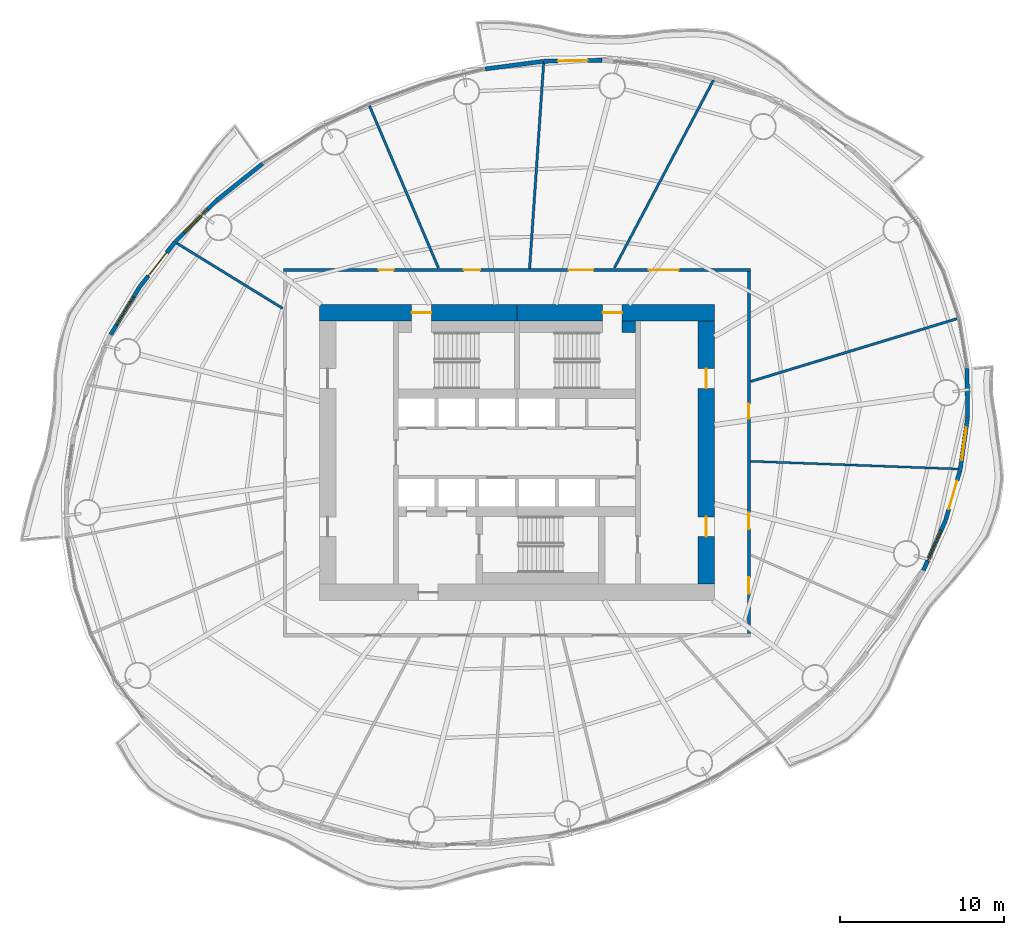
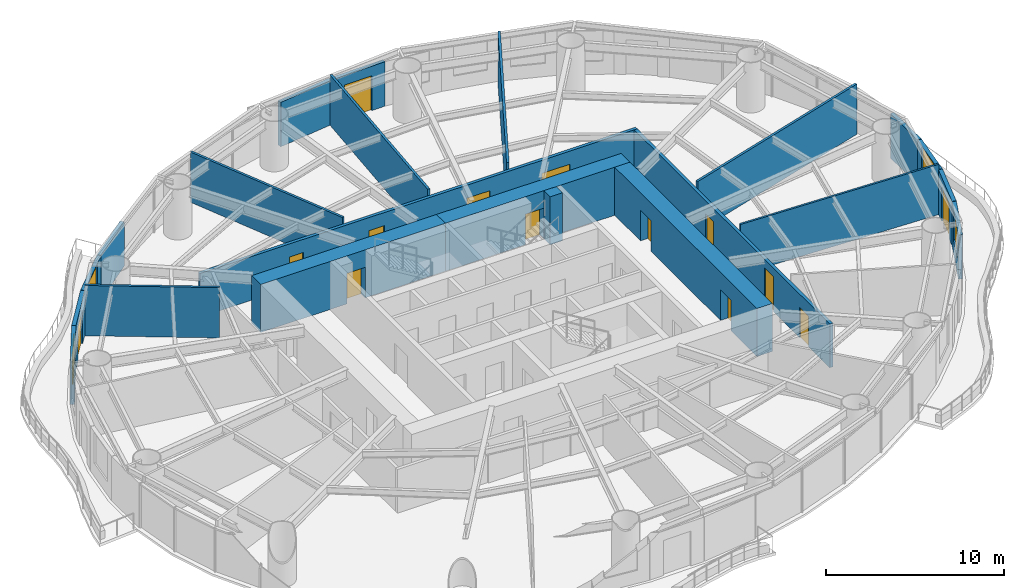
# One storey, part 10 of 14: 22 walls, 14 doors, 4 windows, 18 openings.
"""IFC4 building model written with IfcOpenShell, lengths in metres."""

import ifcopenshell
import ifcopenshell.guid

model = None  # the IFC model being written
_history = None  # IfcOwnerHistory: only IFC2X3 demands one
_inside = {}  # id of a spatial element -> (the spatial element, [elements in it])
_under = {}  # id of a project, library or spatial element -> (it, [spatial elements below it])
_declared = {}  # id of a project -> (the project, [libraries it declares])
_typed = {}  # id of a type object -> (the type object, [elements of that type])
_made_of = {}  # id of a material, layer set ... -> (it, [elements and type objects made of it])


def new_model(schema):
    """Start an empty IFC model of exactly this schema.

    Asked for "IFC4X3", IfcOpenShell would pick the latest addendum, in which some entities
    have other attributes; the version numbers below select the first issue.
    IFC2X3 requires an IfcOwnerHistory on every rooted entity: one is made here for all.
    """
    global model, _history
    if schema == "IFC4X3":
        model = ifcopenshell.file(schema_version=(4, 3, 0, 0))
    else:
        model = ifcopenshell.file(schema=schema)
    _inside.clear()
    _under.clear()
    _declared.clear()
    _typed.clear()
    _made_of.clear()
    _history = None
    if model.schema == "IFC2X3":
        org = make("IfcOrganization", Name="unknown")
        user = make(
            "IfcPersonAndOrganization",
            ThePerson=make("IfcPerson", FamilyName="unknown"),
            TheOrganization=org,
        )
        app = make(
            "IfcApplication",
            ApplicationDeveloper=org,
            Version="unknown",
            ApplicationFullName="unknown",
            ApplicationIdentifier="unknown",
        )
        _history = make(
            "IfcOwnerHistory",
            OwningUser=user,
            OwningApplication=app,
            ChangeAction="ADDED",
            CreationDate=0,
        )
    return model


def make(cls, **values):
    """One entity of the class cls with the attributes given. An attribute that is None is left unset."""
    return model.create_entity(
        cls, **{name: value for name, value in values.items() if value is not None}
    )


def rooted(cls, **values):
    """An entity with a GlobalId (a new one), such as an element, a storey or a relation."""
    return make(cls, GlobalId=ifcopenshell.guid.new(), OwnerHistory=_history, **values)


def si_unit(unit_type, name, prefix=None):
    """IfcSIUnit, for example si_unit("LENGTHUNIT", "METRE", prefix="MILLI")."""
    return make("IfcSIUnit", UnitType=unit_type, Prefix=prefix, Name=name)


def assignment(units):
    """IfcUnitAssignment: the units of a project."""
    return None if units is None else make("IfcUnitAssignment", Units=units)


def point(xyz):
    """IfcCartesianPoint."""
    return None if xyz is None else make("IfcCartesianPoint", Coordinates=xyz)


def direction(xyz):
    """IfcDirection."""
    return None if xyz is None else make("IfcDirection", DirectionRatios=xyz)


def frame(location, z_axis=None, x_axis=None):
    """IfcAxis2Placement3D, a coordinate frame: its origin and axes. An axis left out is left unset."""
    return make(
        "IfcAxis2Placement3D",
        Location=point(location),
        Axis=direction(z_axis),
        RefDirection=direction(x_axis),
    )


def frame_2d(location, x_axis=None):
    """IfcAxis2Placement2D, a coordinate frame in the plane: its origin and x axis."""
    return make(
        "IfcAxis2Placement2D", Location=point(location), RefDirection=direction(x_axis)
    )


def origin():
    """The frame at (0, 0, 0) with its axes left unset."""
    return frame((0.0, 0.0, 0.0))


def place(relative_to, where):
    """IfcLocalPlacement: puts the frame where relative to a parent placement (None: the world)."""
    return make(
        "IfcLocalPlacement", PlacementRelTo=relative_to, RelativePlacement=where
    )


def context(
    kind, dimensions, precision=None, world=None, true_north=None, identifier=None
):
    """IfcGeometricRepresentationContext, for example the 3D "Model" context."""
    return make(
        "IfcGeometricRepresentationContext",
        ContextIdentifier=identifier,
        ContextType=kind,
        CoordinateSpaceDimension=dimensions,
        Precision=precision,
        WorldCoordinateSystem=world,
        TrueNorth=true_north,
    )


def subcontext(parent, identifier, kind, view, scale=None):
    """IfcGeometricRepresentationSubContext, for example "Body" below "Model"."""
    return make(
        "IfcGeometricRepresentationSubContext",
        ContextIdentifier=identifier,
        ContextType=kind,
        ParentContext=parent,
        TargetScale=scale,
        TargetView=view,
    )


def project(units=None, contexts=None):
    """IfcProject with its units and contexts."""
    return rooted(
        "IfcProject",
        Name="project",
        RepresentationContexts=contexts,
        UnitsInContext=assignment(units),
    )


def spatial(cls, under=None, at=None, **own):
    """A site, building, storey or space (cls), placed at a placement, below another one or the project."""
    s = rooted(cls, ObjectPlacement=at, **own)
    if under is not None:
        _under.setdefault(under.id(), (under, []))[1].append(s)
    return s


def profile(cls, at=None, kind="AREA", **sizes):
    """A parametric profile (cls). Its sizes go by their IFC names, for example OverallWidth=200.0."""
    return make(cls, ProfileType=kind, Position=at, **sizes)


def rectangle(**sizes):
    """IfcRectangleProfileDef."""
    return profile("IfcRectangleProfileDef", **sizes)


def extrude(swept, where, along, depth):
    """IfcExtrudedAreaSolid: the profile swept, set in the frame where, extruded along a direction by depth."""
    return make(
        "IfcExtrudedAreaSolid",
        SweptArea=swept,
        Position=where,
        ExtrudedDirection=direction(along),
        Depth=depth,
    )


def shape(context_of_items, identifier, shape_type, items):
    """IfcShapeRepresentation: the items that make up one representation, for example the "Body"."""
    return make(
        "IfcShapeRepresentation",
        ContextOfItems=context_of_items,
        RepresentationIdentifier=identifier,
        RepresentationType=shape_type,
        Items=items,
    )


def material(Name=None, Category=None):
    """IfcMaterial."""
    return make("IfcMaterial", Name=Name, Category=Category)


def layer(
    of_material, thickness, ventilated=None, Name=None, Category=None, Priority=None
):
    """IfcMaterialLayer: one layer of a wall or slab, of a material (None: an air gap)."""
    return make(
        "IfcMaterialLayer",
        Material=of_material,
        LayerThickness=thickness,
        IsVentilated=ventilated,
        Name=Name,
        Category=Category,
        Priority=Priority,
    )


def layer_set(layers, Name=None):
    """IfcMaterialLayerSet."""
    return make("IfcMaterialLayerSet", MaterialLayers=layers, LayerSetName=Name)


def made_of(thing, what):
    """Note that an element or type object is made of a material, layer set ...; save() writes the relation."""
    if what is not None:
        _made_of.setdefault(what.id(), (what, []))[1].append(thing)
    return thing


def type_object(cls, material=None, **own):
    """A type object (cls), such as IfcWallType, which elements share."""
    return made_of(rooted(cls, **own), material)


def element(
    cls,
    number,
    at=None,
    inside=None,
    cuts=None,
    type_object=None,
    material=None,
    context=None,
    identifier="Body",
    shape_type=None,
    held_by="IfcProductDefinitionShape",
    body=None,
    shapes=None,
    **own,
):
    """One element of the class cls, such as IfcWall. Its Tag is "e" and its number.

    at: its placement. inside: the storey or other place that contains it. cuts: it is an
    opening in that element (IfcRelVoidsElement). A single representation is given by context,
    identifier, shape_type and body (its items); several are given by shapes. held_by: the class
    of the entity that holds the representations. save() writes the other relations.
    """
    e = rooted(cls, Tag="e%d" % number, ObjectPlacement=at, **own)
    if body is not None:
        shapes = [shape(context, identifier, shape_type, body)]
    if shapes is not None:
        e.Representation = make(held_by, Representations=shapes)
    if inside is not None:
        _inside.setdefault(inside.id(), (inside, []))[1].append(e)
    if cuts is not None:
        rooted(
            "IfcRelVoidsElement", RelatingBuildingElement=cuts, RelatedOpeningElement=e
        )
    if type_object is not None:
        _typed.setdefault(type_object.id(), (type_object, []))[1].append(e)
    return made_of(e, material)


def fill(opening, filler):
    """IfcRelFillsElement: the door or window that sits in an opening."""
    return rooted(
        "IfcRelFillsElement",
        RelatingOpeningElement=opening,
        RelatedBuildingElement=filler,
    )


def aggregate(whole, parts):
    """IfcRelAggregates: a whole, such as a stair, and the parts it consists of."""
    return rooted("IfcRelAggregates", RelatingObject=whole, RelatedObjects=parts)


def save(model, path):
    """Write the relations noted so far, then the file.

    IfcRelAggregates (storeys below a building ...), IfcRelContainedInSpatialStructure (elements
    in a storey), IfcRelDefinesByType, IfcRelAssociatesMaterial and IfcRelDeclares: one each for
    every whole, place, type object, material and project.
    """
    for whole, parts in _under.values():
        aggregate(whole, parts)
    for where, things in _inside.values():
        rooted(
            "IfcRelContainedInSpatialStructure",
            RelatedElements=things,
            RelatingStructure=where,
        )
    for kind, things in _typed.values():
        rooted("IfcRelDefinesByType", RelatedObjects=things, RelatingType=kind)
    for what, things in _made_of.values():
        rooted("IfcRelAssociatesMaterial", RelatedObjects=things, RelatingMaterial=what)
    for by, libraries in _declared.values():
        rooted("IfcRelDeclares", RelatingContext=by, RelatedDefinitions=libraries)
    model.write(path)


model = new_model("IFC4")

# Units and contexts
model_context = context("Model", 3, precision=1e-05, world=origin(), true_north=direction((0.0, 1.0)))
body_context = subcontext(model_context, "Body", "Model", "MODEL_VIEW")
ifc_project = project(units=[si_unit("LENGTHUNIT", "METRE"), si_unit("AREAUNIT", "SQUARE_METRE"), si_unit("VOLUMEUNIT", "CUBIC_METRE"), si_unit("PLANEANGLEUNIT", "RADIAN"), si_unit("MASSUNIT", "GRAM", prefix="KILO")], contexts=[model_context])

# Site, building, storey
site_placement = place(None, origin())
site = spatial("IfcSite", under=ifc_project, at=site_placement, CompositionType="ELEMENT")
building_placement = place(site_placement, origin())
building = spatial("IfcBuilding", under=site, at=building_placement, Name="Vermilion Reach Broadcast Tower", CompositionType="ELEMENT")
storey_placement = place(building_placement, frame((0.0, 0.0, 124.60009765625)))
storey = spatial("IfcBuildingStorey", under=building, at=storey_placement, Name="L29", CompositionType="ELEMENT", Elevation=124.60009765625)

# Wall, opening, door
ifc_material_1 = material(Name="Concrete C70", Category="concrete")
ifc_layer_1 = layer(ifc_material_1, 1.0)
ifc_layer_set_1 = layer_set([ifc_layer_1], Name="Core outer wall 1000 mm Concrete C70")
wall_type_1 = type_object("IfcWallType", Name="Core outer wall 1000 mm Concrete C70", PredefinedType="SHEAR", material=ifc_layer_set_1)
wall_1_placement = place(storey_placement, frame((6.0, 8.5, 0.0), z_axis=(0.0, 0.0, 1.0), x_axis=(-1.0, 0.0, 0.0)))
wall_1 = element("IfcWall", 1, at=wall_1_placement, inside=storey, type_object=wall_type_1, Name="L29 core wall onE", PredefinedType="SHEAR", context=body_context, shape_type="SweptSolid", body=[
    extrude(rectangle(XDim=12.0, YDim=1.0, at=frame_2d((6.0, 0.0))), origin(), (0.0, 0.0, 1.0), 3.2998046875),
])
opening_1_placement = place(wall_1_placement, frame((5.60009765625, 0.0, 0.0)))
opening_1 = element("IfcOpeningElement", 2, at=opening_1_placement, cuts=wall_1, Name="Opening D01", PredefinedType="OPENING", context=body_context, shape_type="SweptSolid", body=[
    extrude(rectangle(XDim=1.199951171875, YDim=2.10009765625, at=frame_2d((0.60009765625, 1.050048828125))), frame((0.0, 0.510009765625, 0.0), z_axis=(0.0, -1.0, 0.0), x_axis=(1.0, 0.0, 0.0)), (0.0, 0.0, 1.0), 1.02001953125),
])
ifc_material_2 = material(Name="Painted steel fire door", Category="steel")
door_type_1 = type_object("IfcDoorType", Name="Stair door 1200 x 2100", OperationType="DOUBLE_DOOR_SINGLE_SWING", PredefinedType="NOTDEFINED", material=ifc_material_2)
door_1_placement = place(opening_1_placement, origin())
door_1 = element("IfcDoor", 3, at=door_1_placement, inside=storey, type_object=door_type_1, Name="L29 stair door ST2", OperationType="DOUBLE_DOOR_SINGLE_SWING", OverallHeight=2.10009765625, OverallWidth=1.199951171875, PredefinedType="NOTDEFINED", context=body_context, shape_type="SweptSolid", body=[
    extrude(rectangle(XDim=1.199951171875, YDim=2.10009765625, at=frame_2d((0.60009765625, 1.050048828125))), frame((0.0, 0.02490234375, 0.0), z_axis=(0.0, -1.0, 0.0), x_axis=(1.0, 0.0, 0.0)), (0.0, 0.0, 1.0), 0.050048828125),
])
fill(opening_1, door_1)

wall_2_placement = place(storey_placement, frame((-6.0, 8.5, 0.0), z_axis=(0.0, 0.0, 1.0), x_axis=(-1.0, 0.0, 0.0)))
wall_2 = element("IfcWall", 4, at=wall_2_placement, inside=storey, type_object=wall_type_1, Name="L29 core wall onW", PredefinedType="SHEAR", context=body_context, shape_type="SweptSolid", body=[
    extrude(rectangle(XDim=12.0, YDim=1.0, at=frame_2d((6.0, 0.0))), origin(), (0.0, 0.0, 1.0), 3.2998046875),
])
opening_2_placement = place(wall_2_placement, frame((5.199951171875, 0.0, 0.0)))
opening_2 = element("IfcOpeningElement", 5, at=opening_2_placement, cuts=wall_2, Name="Opening D01", PredefinedType="OPENING", context=body_context, shape_type="SweptSolid", body=[
    extrude(rectangle(XDim=1.199951171875, YDim=2.10009765625, at=frame_2d((0.60009765625, 1.050048828125))), frame((0.0, 0.510009765625, 0.0), z_axis=(0.0, -1.0, 0.0), x_axis=(1.0, 0.0, 0.0)), (0.0, 0.0, 1.0), 1.02001953125),
])
door_2_placement = place(opening_2_placement, origin())
door_2 = element("IfcDoor", 6, at=door_2_placement, inside=storey, type_object=door_type_1, Name="L29 stair door ST1", OperationType="DOUBLE_DOOR_SINGLE_SWING", OverallHeight=2.10009765625, OverallWidth=1.199951171875, PredefinedType="NOTDEFINED", context=body_context, shape_type="SweptSolid", body=[
    extrude(rectangle(XDim=1.199951171875, YDim=2.10009765625, at=frame_2d((0.60009765625, 1.050048828125))), frame((0.0, 0.02490234375, 0.0), z_axis=(0.0, -1.0, 0.0), x_axis=(1.0, 0.0, 0.0)), (0.0, 0.0, 1.0), 0.050048828125),
])
fill(opening_2, door_2)

# Wall, openings, doors
wall_3_placement = place(storey_placement, frame((5.5, -8.0, 0.0), z_axis=(0.0, 0.0, 1.0), x_axis=(0.0, 1.0, 0.0)))
wall_3 = element("IfcWall", 7, at=wall_3_placement, inside=storey, type_object=wall_type_1, Name="L29 core wall oe", PredefinedType="SHEAR", context=body_context, shape_type="SweptSolid", body=[
    extrude(rectangle(XDim=16.0, YDim=1.0, at=frame_2d((8.0, 0.0))), origin(), (0.0, 0.0, 1.0), 3.2998046875),
])
opening_3_placement = place(wall_3_placement, frame((2.89990234375, 0.0, 0.0)))
opening_3 = element("IfcOpeningElement", 8, at=opening_3_placement, cuts=wall_3, Name="Opening D03", PredefinedType="OPENING", context=body_context, shape_type="SweptSolid", body=[
    extrude(rectangle(XDim=1.199951171875, YDim=2.10009765625, at=frame_2d((0.60009765625, 1.050048828125))), frame((0.0, 0.510009765625, 0.0), z_axis=(0.0, -1.0, 0.0), x_axis=(1.0, 0.0, 0.0)), (0.0, 0.0, 1.0), 1.02001953125),
])
opening_4_placement = place(wall_3_placement, frame((11.89990234375, 0.0, 0.0)))
opening_4 = element("IfcOpeningElement", 9, at=opening_4_placement, cuts=wall_3, Name="Opening D03", PredefinedType="OPENING", context=body_context, shape_type="SweptSolid", body=[
    extrude(rectangle(XDim=1.199951171875, YDim=2.10009765625, at=frame_2d((0.60009765625, 1.050048828125))), frame((0.0, 0.510009765625, 0.0), z_axis=(0.0, -1.0, 0.0), x_axis=(1.0, 0.0, 0.0)), (0.0, 0.0, 1.0), 1.02001953125),
])
ifc_material_3 = material(Name="Painted steel fire door", Category="steel")
door_type_2 = type_object("IfcDoorType", Name="Core lobby door 1200 x 2100", OperationType="DOUBLE_DOOR_SINGLE_SWING", PredefinedType="NOTDEFINED", material=ifc_material_3)
door_3_placement = place(opening_3_placement, origin())
door_3 = element("IfcDoor", 10, at=door_3_placement, inside=storey, type_object=door_type_2, Name="L29 slot door E0", OperationType="DOUBLE_DOOR_SINGLE_SWING", OverallHeight=2.10009765625, OverallWidth=1.199951171875, PredefinedType="NOTDEFINED", context=body_context, shape_type="SweptSolid", body=[
    extrude(rectangle(XDim=1.199951171875, YDim=2.10009765625, at=frame_2d((0.60009765625, 1.050048828125))), frame((0.0, 0.02490234375, 0.0), z_axis=(0.0, -1.0, 0.0), x_axis=(1.0, 0.0, 0.0)), (0.0, 0.0, 1.0), 0.050048828125),
])
fill(opening_3, door_3)
door_4_placement = place(opening_4_placement, origin())
door_4 = element("IfcDoor", 11, at=door_4_placement, inside=storey, type_object=door_type_2, Name="L29 slot door E1", OperationType="DOUBLE_DOOR_SINGLE_SWING", OverallHeight=2.10009765625, OverallWidth=1.199951171875, PredefinedType="NOTDEFINED", context=body_context, shape_type="SweptSolid", body=[
    extrude(rectangle(XDim=1.199951171875, YDim=2.10009765625, at=frame_2d((0.60009765625, 1.050048828125))), frame((0.0, 0.02490234375, 0.0), z_axis=(0.0, -1.0, 0.0), x_axis=(1.0, 0.0, 0.0)), (0.0, 0.0, 1.0), 0.050048828125),
])
fill(opening_4, door_4)

# Walls
ifc_material_4 = material(Name="Concrete C70", Category="concrete")
ifc_layer_2 = layer(ifc_material_4, 0.699951171875)
ifc_layer_set_2 = layer_set([ifc_layer_2], Name="Core stair wall 700 mm Concrete C70")
wall_type_2 = type_object("IfcWallType", Name="Core stair wall 700 mm Concrete C70", PredefinedType="SHEAR", material=ifc_layer_set_2)
wall_4_placement = place(storey_placement, frame((0.39990234375, 7.64990234375, 0.0), z_axis=(0.0, 0.0, 1.0), x_axis=(1.0, 0.0, 0.0)))
element("IfcWall", 12, at=wall_4_placement, inside=storey, type_object=wall_type_2, Name="L29 core wall l2b", PredefinedType="SHEAR", context=body_context, shape_type="SweptSolid", body=[
    extrude(rectangle(XDim=0.800048828125, YDim=0.699951171875, at=frame_2d((0.39990234375, 0.0))), origin(), (0.0, 0.0, 1.0), 3.2998046875),
])
ifc_material_5 = material(Name="Fire-rated plasterboard on steel stud", Category="steel")
ifc_layer_3 = layer(ifc_material_5, 0.125)
ifc_layer_set_3 = layer_set([ifc_layer_3], Name="Partition 125 fire-rated stud")
wall_type_3 = type_object("IfcWallType", Name="Partition 125 fire-rated stud", PredefinedType="PARTITIONING", material=ifc_layer_set_3)
wall_5_placement = place(storey_placement, frame((20.830322265625, -0.9951171875, 0.0), z_axis=(0.0, 0.0, 1.0), x_axis=(-0.999313191899, 0.037055964389, 0.0)))
element("IfcWall", 13, at=wall_5_placement, inside=storey, type_object=wall_type_3, Name="Partition 29.13", PredefinedType="PARTITIONING", context=body_context, shape_type="SweptSolid", body=[
    extrude(rectangle(XDim=12.63671875, YDim=0.125, at=frame_2d((6.318359375, 0.0))), origin(), (0.0, 0.0, 1.0), 3.449951171875),
])
ifc_material_6 = material(Name="Lightweight concrete block, plastered", Category="concrete")
ifc_layer_4 = layer(ifc_material_6, 0.14990234375)
ifc_layer_set_4 = layer_set([ifc_layer_4], Name="Partition 150 lightweight block")
wall_type_4 = type_object("IfcWallType", Name="Partition 150 lightweight block", PredefinedType="PARTITIONING", material=ifc_layer_set_4)
wall_6_placement = place(storey_placement, frame((5.9462890625, 22.644287109375, 0.0), z_axis=(0.0, 0.0, 1.0), x_axis=(-0.466623744036, -0.884455924002, 0.0)))
element("IfcWall", 14, at=wall_6_placement, inside=storey, type_object=wall_type_4, Name="Partition 29.01", PredefinedType="PARTITIONING", context=body_context, shape_type="SweptSolid", body=[
    extrude(rectangle(XDim=12.899658203125, YDim=0.14990234375, at=frame_2d((6.44970703125, 0.0))), origin(), (0.0, 0.0, 1.0), 3.449951171875),
])
wall_7_placement = place(storey_placement, frame((-4.37841796875, 23.667236328125, 0.0), z_axis=(0.0, 0.0, 1.0), x_axis=(-0.068347975622, -0.997661542923, 0.0)))
element("IfcWall", 15, at=wall_7_placement, inside=storey, type_object=wall_type_4, Name="Partition 29.02", PredefinedType="PARTITIONING", context=body_context, shape_type="SweptSolid", body=[
    extrude(rectangle(XDim=12.491455078125, YDim=0.14990234375, at=frame_2d((6.24560546875, 0.0))), origin(), (0.0, 0.0, 1.0), 3.449951171875),
])
wall_8_placement = place(storey_placement, frame((-14.96142578125, 21.07080078125, 0.0), z_axis=(0.0, 0.0, 1.0), x_axis=(0.391369274345, -0.920233715476, 0.0)))
element("IfcWall", 16, at=wall_8_placement, inside=storey, type_object=wall_type_4, Name="Partition 29.03", PredefinedType="PARTITIONING", context=body_context, shape_type="SweptSolid", body=[
    extrude(rectangle(XDim=10.694580078125, YDim=0.14990234375, at=frame_2d((5.34716796875, 0.0))), origin(), (0.0, 0.0, 1.0), 3.449951171875),
])
wall_9_placement = place(storey_placement, frame((-26.6826171875, 12.734619140625, 0.0), z_axis=(0.0, 0.0, 1.0), x_axis=(0.851532002379, -0.524302631049, 0.0)))
element("IfcWall", 17, at=wall_9_placement, inside=storey, type_object=wall_type_4, Name="Partition 29.04", PredefinedType="PARTITIONING", context=body_context, shape_type="SweptSolid", body=[
    extrude(rectangle(XDim=7.56689453125, YDim=0.14990234375, at=frame_2d((3.783447265625, 0.0))), origin(), (0.0, 0.0, 1.0), 3.449951171875),
])
wall_10_placement = place(storey_placement, frame((20.74560546875, 8.14013671875, 0.0), z_axis=(0.0, 0.0, 1.0), x_axis=(-0.956669363106, -0.291176458003, 0.0)))
element("IfcWall", 18, at=wall_10_placement, inside=storey, type_object=wall_type_4, Name="Partition 29.14", PredefinedType="PARTITIONING", context=body_context, shape_type="SweptSolid", body=[
    extrude(rectangle(XDim=13.0908203125, YDim=0.14990234375, at=frame_2d((6.54541015625, 0.0))), origin(), (0.0, 0.0, 1.0), 3.449951171875),
])

# Wall, opening, door
ifc_material_7 = material(Name="Terracotta rainscreen cladding", Category="masonry")
ifc_layer_5 = layer(ifc_material_7, 0.25)
ifc_layer_set_5 = layer_set([ifc_layer_5], Name="Terracotta rainscreen wall 250")
wall_type_5 = type_object("IfcWallType", Name="Terracotta rainscreen wall 250", PredefinedType="SOLIDWALL", material=ifc_layer_set_5)
wall_11_placement = place(storey_placement, frame((-0.832763671875, 23.856201171875, 0.0), z_axis=(0.0, 0.0, 1.0), x_axis=(-0.999835910543, -0.018114965863, 0.0)))
wall_11 = element("IfcWall", 19, at=wall_11_placement, inside=storey, type_object=wall_type_5, Name="External wall L29 08", PredefinedType="SOLIDWALL", context=body_context, shape_type="SweptSolid", body=[
    extrude(rectangle(XDim=3.54443359375, YDim=0.25, at=frame_2d((1.772216796875, 0.0))), origin(), (0.0, 0.0, 1.0), 3.0498046875),
])
opening_5_placement = place(wall_11_placement, frame((0.8720703125, 0.0, 0.0)))
opening_5 = element("IfcOpeningElement", 20, at=opening_5_placement, cuts=wall_11, Name="Opening D70", PredefinedType="OPENING", context=body_context, shape_type="SweptSolid", body=[
    extrude(rectangle(XDim=1.800048828125, YDim=2.39990234375, at=frame_2d((0.89990234375, 1.199951171875))), frame((0.0, 0.135009765625, 0.0), z_axis=(0.0, -1.0, 0.0), x_axis=(1.0, 0.0, 0.0)), (0.0, 0.0, 1.0), 0.27001953125),
])
ifc_material_8 = material(Name="Low-e laminated clear glass in aluminium frame", Category="aluminium")
door_type_3 = type_object("IfcDoorType", Name="Balcony sliding door 1800 x 2400", OperationType="DOUBLE_DOOR_SLIDING", PredefinedType="DOOR", material=ifc_material_8)
door_5_placement = place(opening_5_placement, origin())
door_5 = element("IfcDoor", 21, at=door_5_placement, inside=storey, type_object=door_type_3, Name="Balcony door L29 run 02", OperationType="DOUBLE_DOOR_SLIDING", OverallHeight=2.39990234375, OverallWidth=1.800048828125, PredefinedType="DOOR", context=body_context, shape_type="SweptSolid", body=[
    extrude(rectangle(XDim=1.800048828125, YDim=2.39990234375, at=frame_2d((0.89990234375, 1.199951171875))), frame((0.0, 0.02490234375, 0.0), z_axis=(0.0, -1.0, 0.0), x_axis=(1.0, 0.0, 0.0)), (0.0, 0.0, 1.0), 0.050048828125),
])
fill(opening_5, door_5)

# Walls
wall_12_placement = place(storey_placement, frame((-4.398681640625, 23.790283203125, 0.0), z_axis=(0.0, 0.0, 1.0), x_axis=(-0.991455229273, -0.130447416026, 0.0)))
element("IfcWall", 22, at=wall_12_placement, inside=storey, type_object=wall_type_5, Name="External wall L29 09", PredefinedType="SOLIDWALL", context=body_context, shape_type="SweptSolid", body=[
    extrude(rectangle(XDim=3.559814453125, YDim=0.25, at=frame_2d((1.77978515625, 0.0))), origin(), (0.0, 0.0, 1.0), 3.0498046875),
])
wall_13_placement = place(storey_placement, frame((-21.464599609375, 17.56884765625, 0.0), z_axis=(0.0, 0.0, 1.0), x_axis=(-0.781691181116, -0.623665693594, 0.0)))
element("IfcWall", 23, at=wall_13_placement, inside=storey, type_object=wall_type_5, Name="External wall L29 14", PredefinedType="SOLIDWALL", context=body_context, shape_type="SweptSolid", body=[
    extrude(rectangle(XDim=3.5595703125, YDim=0.25, at=frame_2d((1.77978515625, 0.0))), origin(), (0.0, 0.0, 1.0), 3.0498046875),
])

# Wall, opening, window
wall_14_placement = place(storey_placement, frame((-24.263671875, 15.333984375, 0.0), z_axis=(0.0, 0.0, 1.0), x_axis=(-0.706555538576, -0.707657594397, 0.0)))
wall_14 = element("IfcWall", 24, at=wall_14_placement, inside=storey, type_object=wall_type_5, Name="External wall L29 15", PredefinedType="SOLIDWALL", context=body_context, shape_type="SweptSolid", body=[
    extrude(rectangle(XDim=3.54443359375, YDim=0.25, at=frame_2d((1.772216796875, 0.0))), origin(), (0.0, 0.0, 1.0), 3.0498046875),
])
opening_6_placement = place(wall_14_placement, frame((0.772216796875, 0.0, 0.89990234375)))
opening_6 = element("IfcOpeningElement", 25, at=opening_6_placement, cuts=wall_14, Name="Opening W03", PredefinedType="OPENING", context=body_context, shape_type="SweptSolid", body=[
    extrude(rectangle(XDim=2.0, YDim=2.10009765625, at=frame_2d((1.0, 1.050048828125))), frame((0.0, 0.135009765625, 0.0), z_axis=(0.0, -1.0, 0.0), x_axis=(1.0, 0.0, 0.0)), (0.0, 0.0, 1.0), 0.27001953125),
])
ifc_material_9 = material(Name="Low-e laminated clear glass in aluminium frame", Category="aluminium")
window_type = type_object("IfcWindowType", Name="Punched window 2000 x 2100 sill 900", PartitioningType="SINGLE_PANEL", PredefinedType="WINDOW", material=ifc_material_9)
window_1_placement = place(opening_6_placement, origin())
window_1 = element("IfcWindow", 26, at=window_1_placement, inside=storey, type_object=window_type, Name="Window L29 15", OverallHeight=2.10009765625, OverallWidth=2.0, PartitioningType="SINGLE_PANEL", PredefinedType="WINDOW", context=body_context, shape_type="SweptSolid", body=[
    extrude(rectangle(XDim=2.0, YDim=2.10009765625, at=frame_2d((1.0, 1.050048828125))), frame((0.0, 0.030029296875, 0.0), z_axis=(0.0, -1.0, 0.0), x_axis=(1.0, 0.0, 0.0)), (0.0, 0.0, 1.0), 0.06005859375),
])
fill(opening_6, window_1)

# Wall, opening, door
wall_15_placement = place(storey_placement, frame((-26.783203125, 12.808837890625, 0.0), z_axis=(0.0, 0.0, 1.0), x_axis=(-0.61919708365, -0.785235615341, 0.0)))
wall_15 = element("IfcWall", 27, at=wall_15_placement, inside=storey, type_object=wall_type_5, Name="External wall L29 16", PredefinedType="SOLIDWALL", context=body_context, shape_type="SweptSolid", body=[
    extrude(rectangle(XDim=3.47021484375, YDim=0.25, at=frame_2d((1.735107421875, 0.0))), origin(), (0.0, 0.0, 1.0), 3.0498046875),
])
opening_7_placement = place(wall_15_placement, frame((0.8349609375, 0.0, 0.0)))
opening_7 = element("IfcOpeningElement", 28, at=opening_7_placement, cuts=wall_15, Name="Opening D70", PredefinedType="OPENING", context=body_context, shape_type="SweptSolid", body=[
    extrude(rectangle(XDim=1.800048828125, YDim=2.39990234375, at=frame_2d((0.89990234375, 1.199951171875))), frame((0.0, 0.135009765625, 0.0), z_axis=(0.0, -1.0, 0.0), x_axis=(1.0, 0.0, 0.0)), (0.0, 0.0, 1.0), 0.27001953125),
])
door_6_placement = place(opening_7_placement, origin())
door_6 = element("IfcDoor", 29, at=door_6_placement, inside=storey, type_object=door_type_3, Name="Balcony door L29 run 04", OperationType="DOUBLE_DOOR_SLIDING", OverallHeight=2.39990234375, OverallWidth=1.800048828125, PredefinedType="DOOR", context=body_context, shape_type="SweptSolid", body=[
    extrude(rectangle(XDim=1.800048828125, YDim=2.39990234375, at=frame_2d((0.89990234375, 1.199951171875))), frame((0.0, 0.02490234375, 0.0), z_axis=(0.0, -1.0, 0.0), x_axis=(1.0, 0.0, 0.0)), (0.0, 0.0, 1.0), 0.050048828125),
])
fill(opening_7, door_6)

# Wall, opening, window
wall_16_placement = place(storey_placement, frame((-28.9453125, 10.064697265625, 0.0), z_axis=(0.0, 0.0, 1.0), x_axis=(-0.518868982656, -0.85485377629, 0.0)))
wall_16 = element("IfcWall", 30, at=wall_16_placement, inside=storey, type_object=wall_type_5, Name="External wall L29 17", PredefinedType="SOLIDWALL", context=body_context, shape_type="SweptSolid", body=[
    extrude(rectangle(XDim=3.385498046875, YDim=0.25, at=frame_2d((1.69287109375, 0.0))), origin(), (0.0, 0.0, 1.0), 3.0498046875),
])
opening_8_placement = place(wall_16_placement, frame((0.69287109375, 0.0, 0.89990234375)))
opening_8 = element("IfcOpeningElement", 31, at=opening_8_placement, cuts=wall_16, Name="Opening W03", PredefinedType="OPENING", context=body_context, shape_type="SweptSolid", body=[
    extrude(rectangle(XDim=2.0, YDim=2.10009765625, at=frame_2d((1.0, 1.050048828125))), frame((0.0, 0.135009765625, 0.0), z_axis=(0.0, -1.0, 0.0), x_axis=(1.0, 0.0, 0.0)), (0.0, 0.0, 1.0), 0.27001953125),
])
window_2_placement = place(opening_8_placement, origin())
window_2 = element("IfcWindow", 32, at=window_2_placement, inside=storey, type_object=window_type, Name="Window L29 17", OverallHeight=2.10009765625, OverallWidth=2.0, PartitioningType="SINGLE_PANEL", PredefinedType="WINDOW", context=body_context, shape_type="SweptSolid", body=[
    extrude(rectangle(XDim=2.0, YDim=2.10009765625, at=frame_2d((1.0, 1.050048828125))), frame((0.0, 0.030029296875, 0.0), z_axis=(0.0, -1.0, 0.0), x_axis=(1.0, 0.0, 0.0)), (0.0, 0.0, 1.0), 0.06005859375),
])
fill(opening_8, window_2)

wall_17_placement = place(storey_placement, frame((18.713134765625, -7.1494140625, 0.0), z_axis=(0.0, 0.0, 1.0), x_axis=(0.405155306017, 0.914247875582, 0.0)))
wall_17 = element("IfcWall", 33, at=wall_17_placement, inside=storey, type_object=wall_type_5, Name="External wall L29 42", PredefinedType="SOLIDWALL", context=body_context, shape_type="SweptSolid", body=[
    extrude(rectangle(XDim=3.295654296875, YDim=0.25, at=frame_2d((1.64794921875, 0.0))), origin(), (0.0, 0.0, 1.0), 3.0498046875),
])
opening_9_placement = place(wall_17_placement, frame((0.647705078125, 0.0, 0.89990234375)))
opening_9 = element("IfcOpeningElement", 34, at=opening_9_placement, cuts=wall_17, Name="Opening W03", PredefinedType="OPENING", context=body_context, shape_type="SweptSolid", body=[
    extrude(rectangle(XDim=2.0, YDim=2.10009765625, at=frame_2d((1.0, 1.050048828125))), frame((0.0, 0.135009765625, 0.0), z_axis=(0.0, -1.0, 0.0), x_axis=(1.0, 0.0, 0.0)), (0.0, 0.0, 1.0), 0.27001953125),
])
window_3_placement = place(opening_9_placement, origin())
window_3 = element("IfcWindow", 35, at=window_3_placement, inside=storey, type_object=window_type, Name="Window L29 42", OverallHeight=2.10009765625, OverallWidth=2.0, PartitioningType="SINGLE_PANEL", PredefinedType="WINDOW", context=body_context, shape_type="SweptSolid", body=[
    extrude(rectangle(XDim=2.0, YDim=2.10009765625, at=frame_2d((1.0, 1.050048828125))), frame((0.0, 0.030029296875, 0.0), z_axis=(0.0, -1.0, 0.0), x_axis=(1.0, 0.0, 0.0)), (0.0, 0.0, 1.0), 0.06005859375),
])
fill(opening_9, window_3)

# Wall, opening, door
wall_18_placement = place(storey_placement, frame((20.056884765625, -4.113037109375, 0.0), z_axis=(0.0, 0.0, 1.0), x_axis=(0.27825961791, 0.960505900576, 0.0)))
wall_18 = element("IfcWall", 36, at=wall_18_placement, inside=storey, type_object=wall_type_5, Name="External wall L29 43", PredefinedType="SOLIDWALL", context=body_context, shape_type="SweptSolid", body=[
    extrude(rectangle(XDim=3.2060546875, YDim=0.25, at=frame_2d((1.60302734375, 0.0))), origin(), (0.0, 0.0, 1.0), 3.0498046875),
])
opening_10_placement = place(wall_18_placement, frame((0.702880859375, 0.0, 0.0)))
opening_10 = element("IfcOpeningElement", 37, at=opening_10_placement, cuts=wall_18, Name="Opening D70", PredefinedType="OPENING", context=body_context, shape_type="SweptSolid", body=[
    extrude(rectangle(XDim=1.800048828125, YDim=2.39990234375, at=frame_2d((0.89990234375, 1.199951171875))), frame((0.0, 0.135009765625, 0.0), z_axis=(0.0, -1.0, 0.0), x_axis=(1.0, 0.0, 0.0)), (0.0, 0.0, 1.0), 0.27001953125),
])
door_7_placement = place(opening_10_placement, origin())
door_7 = element("IfcDoor", 38, at=door_7_placement, inside=storey, type_object=door_type_3, Name="Balcony door L29 run 11", OperationType="DOUBLE_DOOR_SLIDING", OverallHeight=2.39990234375, OverallWidth=1.800048828125, PredefinedType="DOOR", context=body_context, shape_type="SweptSolid", body=[
    extrude(rectangle(XDim=1.800048828125, YDim=2.39990234375, at=frame_2d((0.89990234375, 1.199951171875))), frame((0.0, 0.02490234375, 0.0), z_axis=(0.0, -1.0, 0.0), x_axis=(1.0, 0.0, 0.0)), (0.0, 0.0, 1.0), 0.050048828125),
])
fill(opening_10, door_7)

# Wall, opening, window
wall_19_placement = place(storey_placement, frame((20.954345703125, -1.008544921875, 0.0), z_axis=(0.0, 0.0, 1.0), x_axis=(0.139133868146, 0.990273581762, 0.0)))
wall_19 = element("IfcWall", 39, at=wall_19_placement, inside=storey, type_object=wall_type_5, Name="External wall L29 44", PredefinedType="SOLIDWALL", context=body_context, shape_type="SweptSolid", body=[
    extrude(rectangle(XDim=3.123291015625, YDim=0.25, at=frame_2d((1.5615234375, 0.0))), origin(), (0.0, 0.0, 1.0), 3.0498046875),
])
opening_11_placement = place(wall_19_placement, frame((0.561767578125, 0.0, 0.89990234375)))
opening_11 = element("IfcOpeningElement", 40, at=opening_11_placement, cuts=wall_19, Name="Opening W03", PredefinedType="OPENING", context=body_context, shape_type="SweptSolid", body=[
    extrude(rectangle(XDim=2.0, YDim=2.10009765625, at=frame_2d((1.0, 1.050048828125))), frame((0.0, 0.135009765625, 0.0), z_axis=(0.0, -1.0, 0.0), x_axis=(1.0, 0.0, 0.0)), (0.0, 0.0, 1.0), 0.27001953125),
])
window_4_placement = place(opening_11_placement, origin())
window_4 = element("IfcWindow", 41, at=window_4_placement, inside=storey, type_object=window_type, Name="Window L29 44", OverallHeight=2.10009765625, OverallWidth=2.0, PartitioningType="SINGLE_PANEL", PredefinedType="WINDOW", context=body_context, shape_type="SweptSolid", body=[
    extrude(rectangle(XDim=2.0, YDim=2.10009765625, at=frame_2d((1.0, 1.050048828125))), frame((0.0, 0.030029296875, 0.0), z_axis=(0.0, -1.0, 0.0), x_axis=(1.0, 0.0, 0.0)), (0.0, 0.0, 1.0), 0.06005859375),
])
fill(opening_11, window_4)

# Wall
wall_20_placement = place(storey_placement, frame((21.390869140625, 2.111083984375, 0.0), z_axis=(0.0, 0.0, 1.0), x_axis=(-0.009399908842, 0.999955819881, 0.0)))
element("IfcWall", 42, at=wall_20_placement, inside=storey, type_object=wall_type_5, Name="External wall L29 45", PredefinedType="SOLIDWALL", context=body_context, shape_type="SweptSolid", body=[
    extrude(rectangle(XDim=3.012939453125, YDim=0.25, at=frame_2d((1.50634765625, 0.0))), origin(), (0.0, 0.0, 1.0), 3.0498046875),
])

# Wall, openings, doors
ifc_material_10 = material(Name="Fire-rated gypsum board partition")
ifc_layer_6 = layer(ifc_material_10, 0.199951171875)
ifc_layer_set_6 = layer_set([ifc_layer_6], Name="Under girder: Corridor wall 200 fire-rated")
wall_type_6 = type_object("IfcWallType", Name="Under girder: Corridor wall 200 fire-rated", PredefinedType="PARTITIONING", material=ifc_layer_set_6)
wall_21_placement = place(storey_placement, frame((-20.199951171875, 11.10009765625, 0.0), z_axis=(0.0, 0.0, 1.0), x_axis=(1.0, 0.0, 0.0)))
wall_21 = element("IfcWall", 43, at=wall_21_placement, inside=storey, type_object=wall_type_6, Name="Corridor wall 29.N", PredefinedType="PARTITIONING", context=body_context, shape_type="SweptSolid", body=[
    extrude(rectangle(XDim=28.39990234375, YDim=0.199951171875, at=frame_2d((14.199951171875, 0.0))), origin(), (0.0, 0.0, 1.0), 3.0),
])
opening_12_placement = place(wall_21_placement, frame((17.34619140625, 0.0, 0.0)))
opening_12 = element("IfcOpeningElement", 44, at=opening_12_placement, cuts=wall_21, Name="Opening D24", PredefinedType="OPENING", context=body_context, shape_type="SweptSolid", body=[
    extrude(rectangle(XDim=1.5, YDim=2.10009765625, at=frame_2d((0.75, 1.050048828125))), frame((0.0, 0.10986328125, 0.0), z_axis=(0.0, -1.0, 0.0), x_axis=(1.0, 0.0, 0.0)), (0.0, 0.0, 1.0), 0.219970703125),
])
opening_13_placement = place(wall_21_placement, frame((10.9658203125, 0.0, 0.0)))
opening_13 = element("IfcOpeningElement", 45, at=opening_13_placement, cuts=wall_21, Name="Opening D20", PredefinedType="OPENING", context=body_context, shape_type="SweptSolid", body=[
    extrude(rectangle(XDim=1.0, YDim=2.10009765625, at=frame_2d((0.5, 1.050048828125))), frame((0.0, 0.10986328125, 0.0), z_axis=(0.0, -1.0, 0.0), x_axis=(1.0, 0.0, 0.0)), (0.0, 0.0, 1.0), 0.219970703125),
])
opening_14_placement = place(wall_21_placement, frame((5.8056640625, 0.0, 0.0)))
opening_14 = element("IfcOpeningElement", 46, at=opening_14_placement, cuts=wall_21, Name="Opening D22", PredefinedType="OPENING", context=body_context, shape_type="SweptSolid", body=[
    extrude(rectangle(XDim=0.89990234375, YDim=2.10009765625, at=frame_2d((0.449951171875, 1.050048828125))), frame((0.0, 0.10986328125, 0.0), z_axis=(0.0, -1.0, 0.0), x_axis=(1.0, 0.0, 0.0)), (0.0, 0.0, 1.0), 0.219970703125),
])
opening_15_placement = place(wall_21_placement, frame((22.22607421875, 0.0, 0.0)))
opening_15 = element("IfcOpeningElement", 47, at=opening_15_placement, cuts=wall_21, Name="Opening D21", PredefinedType="OPENING", context=body_context, shape_type="SweptSolid", body=[
    extrude(rectangle(XDim=1.800048828125, YDim=2.10009765625, at=frame_2d((0.89990234375, 1.050048828125))), frame((0.0, 0.10986328125, 0.0), z_axis=(0.0, -1.0, 0.0), x_axis=(1.0, 0.0, 0.0)), (0.0, 0.0, 1.0), 0.219970703125),
])
ifc_material_11 = material(Name="Timber door leaf", Category="wood")
door_type_4 = type_object("IfcDoorType", Name="Door pair 1500x2100", OperationType="NOTDEFINED", PredefinedType="DOOR", material=ifc_material_11)
door_8_placement = place(opening_12_placement, origin())
door_8 = element("IfcDoor", 48, at=door_8_placement, inside=storey, type_object=door_type_4, Name="Door 29.01", OperationType="DOUBLE_DOOR_SINGLE_SWING", OverallHeight=2.10009765625, OverallWidth=1.5, PredefinedType="DOOR", context=body_context, shape_type="SweptSolid", body=[
    extrude(rectangle(XDim=1.5, YDim=2.10009765625, at=frame_2d((0.75, 1.050048828125))), frame((0.0, 0.02490234375, 0.0), z_axis=(0.0, -1.0, 0.0), x_axis=(1.0, 0.0, 0.0)), (0.0, 0.0, 1.0), 0.050048828125),
])
fill(opening_12, door_8)
ifc_material_12 = material(Name="Timber door leaf", Category="wood")
door_type_5 = type_object("IfcDoorType", Name="Door pair 1800x2100", OperationType="NOTDEFINED", PredefinedType="DOOR", material=ifc_material_12)
door_9_placement = place(opening_15_placement, origin())
door_9 = element("IfcDoor", 49, at=door_9_placement, inside=storey, type_object=door_type_5, Name="Door 29.14", OperationType="DOUBLE_DOOR_SINGLE_SWING", OverallHeight=2.10009765625, OverallWidth=1.800048828125, PredefinedType="DOOR", context=body_context, shape_type="SweptSolid", body=[
    extrude(rectangle(XDim=1.800048828125, YDim=2.10009765625, at=frame_2d((0.89990234375, 1.050048828125))), frame((0.0, 0.02490234375, 0.0), z_axis=(0.0, -1.0, 0.0), x_axis=(1.0, 0.0, 0.0)), (0.0, 0.0, 1.0), 0.050048828125),
])
fill(opening_15, door_9)
ifc_material_13 = material(Name="Timber door leaf", Category="wood")
door_type_6 = type_object("IfcDoorType", Name="Door single 1000x2100", OperationType="NOTDEFINED", PredefinedType="DOOR", material=ifc_material_13)
door_10_placement = place(opening_13_placement, origin())
door_10 = element("IfcDoor", 50, at=door_10_placement, inside=storey, type_object=door_type_6, Name="Door 29.02", OperationType="SINGLE_SWING_LEFT", OverallHeight=2.10009765625, OverallWidth=1.0, PredefinedType="DOOR", context=body_context, shape_type="SweptSolid", body=[
    extrude(rectangle(XDim=1.0, YDim=2.10009765625, at=frame_2d((0.5, 1.050048828125))), frame((0.0, 0.02490234375, 0.0), z_axis=(0.0, -1.0, 0.0), x_axis=(1.0, 0.0, 0.0)), (0.0, 0.0, 1.0), 0.050048828125),
])
fill(opening_13, door_10)
ifc_material_14 = material(Name="Timber door leaf", Category="wood")
door_type_7 = type_object("IfcDoorType", Name="Door single 900x2100", OperationType="NOTDEFINED", PredefinedType="DOOR", material=ifc_material_14)
door_11_placement = place(opening_14_placement, origin())
door_11 = element("IfcDoor", 51, at=door_11_placement, inside=storey, type_object=door_type_7, Name="Door 29.03", OperationType="SINGLE_SWING_RIGHT", OverallHeight=2.10009765625, OverallWidth=0.89990234375, PredefinedType="DOOR", context=body_context, shape_type="SweptSolid", body=[
    extrude(rectangle(XDim=0.89990234375, YDim=2.10009765625, at=frame_2d((0.449951171875, 1.050048828125))), frame((0.0, 0.02490234375, 0.0), z_axis=(0.0, -1.0, 0.0), x_axis=(1.0, 0.0, 0.0)), (0.0, 0.0, 1.0), 0.050048828125),
])
fill(opening_14, door_11)

wall_22_placement = place(storey_placement, frame((8.10009765625, 11.0, 0.0), z_axis=(0.0, 0.0, 1.0), x_axis=(0.0, -1.0, 0.0)))
wall_22 = element("IfcWall", 52, at=wall_22_placement, inside=storey, type_object=wall_type_6, Name="Corridor wall 29.E", PredefinedType="PARTITIONING", context=body_context, shape_type="SweptSolid", body=[
    extrude(rectangle(XDim=22.0, YDim=0.199951171875, at=frame_2d((11.0, 0.0))), origin(), (0.0, 0.0, 1.0), 3.0),
])
opening_16_placement = place(wall_22_placement, frame((18.584228515625, 0.0, 0.0)))
opening_16 = element("IfcOpeningElement", 53, at=opening_16_placement, cuts=wall_22, Name="Opening D20", PredefinedType="OPENING", context=body_context, shape_type="SweptSolid", body=[
    extrude(rectangle(XDim=1.0, YDim=2.10009765625, at=frame_2d((0.5, 1.050048828125))), frame((0.0, 0.10986328125, 0.0), z_axis=(0.0, -1.0, 0.0), x_axis=(1.0, 0.0, 0.0)), (0.0, 0.0, 1.0), 0.219970703125),
])
opening_17_placement = place(wall_22_placement, frame((14.647216796875, 0.0, 0.0)))
opening_17 = element("IfcOpeningElement", 54, at=opening_17_placement, cuts=wall_22, Name="Opening D23", PredefinedType="OPENING", context=body_context, shape_type="SweptSolid", body=[
    extrude(rectangle(XDim=1.0, YDim=2.39990234375, at=frame_2d((0.5, 1.199951171875))), frame((0.0, 0.10986328125, 0.0), z_axis=(0.0, -1.0, 0.0), x_axis=(1.0, 0.0, 0.0)), (0.0, 0.0, 1.0), 0.219970703125),
])
opening_18_placement = place(wall_22_placement, frame((8.03271484375, 0.0, 0.0)))
opening_18 = element("IfcOpeningElement", 55, at=opening_18_placement, cuts=wall_22, Name="Opening D22", PredefinedType="OPENING", context=body_context, shape_type="SweptSolid", body=[
    extrude(rectangle(XDim=0.89990234375, YDim=2.10009765625, at=frame_2d((0.449951171875, 1.050048828125))), frame((0.0, 0.10986328125, 0.0), z_axis=(0.0, -1.0, 0.0), x_axis=(1.0, 0.0, 0.0)), (0.0, 0.0, 1.0), 0.219970703125),
])
door_12_placement = place(opening_16_placement, origin())
door_12 = element("IfcDoor", 56, at=door_12_placement, inside=storey, type_object=door_type_6, Name="Door 29.11", OperationType="SINGLE_SWING_LEFT", OverallHeight=2.10009765625, OverallWidth=1.0, PredefinedType="DOOR", context=body_context, shape_type="SweptSolid", body=[
    extrude(rectangle(XDim=1.0, YDim=2.10009765625, at=frame_2d((0.5, 1.050048828125))), frame((0.0, 0.02490234375, 0.0), z_axis=(0.0, -1.0, 0.0), x_axis=(1.0, 0.0, 0.0)), (0.0, 0.0, 1.0), 0.050048828125),
])
fill(opening_16, door_12)
ifc_material_15 = material(Name="Veneered timber door leaf", Category="wood")
door_type_8 = type_object("IfcDoorType", Name="Door single 1000x2400", OperationType="NOTDEFINED", PredefinedType="DOOR", material=ifc_material_15)
door_13_placement = place(opening_17_placement, origin())
door_13 = element("IfcDoor", 57, at=door_13_placement, inside=storey, type_object=door_type_8, Name="Door 29.12", OperationType="SINGLE_SWING_RIGHT", OverallHeight=2.39990234375, OverallWidth=1.0, PredefinedType="DOOR", context=body_context, shape_type="SweptSolid", body=[
    extrude(rectangle(XDim=1.0, YDim=2.39990234375, at=frame_2d((0.5, 1.199951171875))), frame((0.0, 0.02490234375, 0.0), z_axis=(0.0, -1.0, 0.0), x_axis=(1.0, 0.0, 0.0)), (0.0, 0.0, 1.0), 0.050048828125),
])
fill(opening_17, door_13)
door_14_placement = place(opening_18_placement, origin())
door_14 = element("IfcDoor", 58, at=door_14_placement, inside=storey, type_object=door_type_7, Name="Door 29.13", OperationType="SINGLE_SWING_LEFT", OverallHeight=2.10009765625, OverallWidth=0.89990234375, PredefinedType="DOOR", context=body_context, shape_type="SweptSolid", body=[
    extrude(rectangle(XDim=0.89990234375, YDim=2.10009765625, at=frame_2d((0.449951171875, 1.050048828125))), frame((0.0, 0.02490234375, 0.0), z_axis=(0.0, -1.0, 0.0), x_axis=(1.0, 0.0, 0.0)), (0.0, 0.0, 1.0), 0.050048828125),
])
fill(opening_18, door_14)

save(model, "model.ifc")
